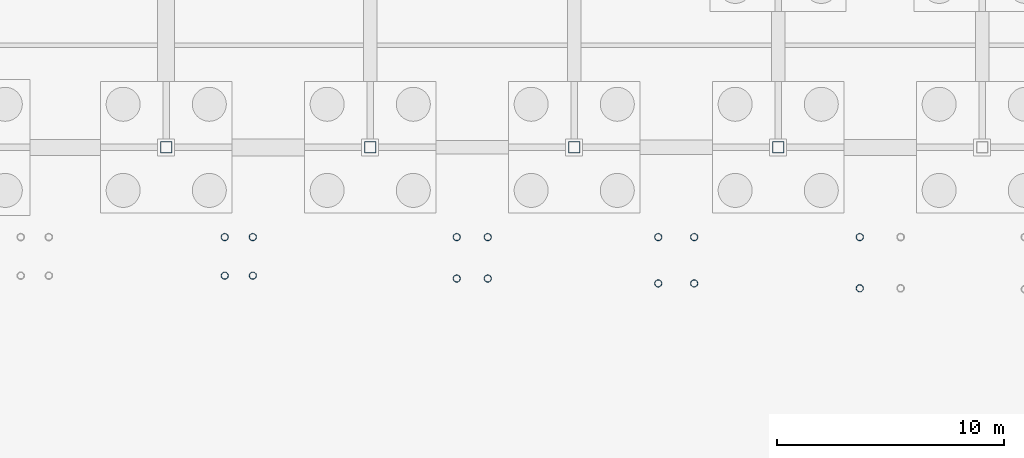
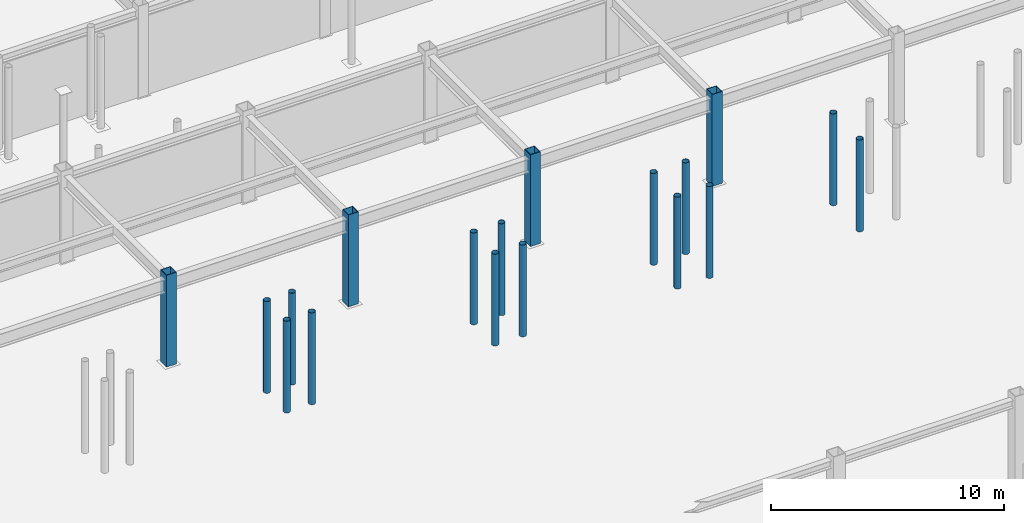
# One storey, part 21 of 74: 18 columns.
"""IFC4 building model written with IfcOpenShell, lengths in metres."""

from ifc_helpers import new_model, si_unit, direction, frame, origin, origin_2d, place, context, subcontext, project, spatial, hollow_rectangle, hollow_circle, extrude, material, material_profile, profile_set, type_object, element, save


model = new_model("IFC4")

# Units and contexts
model_context = context("Model", 3, precision=1e-05, world=origin(), true_north=direction((0.0, 1.0)))
body_context = subcontext(model_context, "Body", "Model", "MODEL_VIEW")
ifc_project = project(units=[si_unit("LENGTHUNIT", "METRE"), si_unit("AREAUNIT", "SQUARE_METRE"), si_unit("VOLUMEUNIT", "CUBIC_METRE"), si_unit("PLANEANGLEUNIT", "RADIAN"), si_unit("MASSUNIT", "GRAM", prefix="KILO")], contexts=[model_context])

# Site, building, storey
site_placement = place(None, origin())
site = spatial("IfcSite", under=ifc_project, at=site_placement, CompositionType="ELEMENT")
building_placement = place(site_placement, origin())
building = spatial("IfcBuilding", under=site, at=building_placement, Name="Suzunagisa Mobility Hub", CompositionType="ELEMENT")
storey_placement = place(building_placement, frame((0.0, 0.0, -4.800048828125)))
storey = spatial("IfcBuildingStorey", under=building, at=storey_placement, Name="B1", CompositionType="ELEMENT", Elevation=-4.800048828125)

# Columns
ifc_material = material(Name="Steel SN490B", Category="steel")
ifc_material_profile_1 = material_profile(ifc_material, hollow_circle(Radius=0.1591796875, WallThickness=0.01025390625, at=origin_2d()), Name="CHS-318.5x10.3")
ifc_profile_set_1 = profile_set([ifc_material_profile_1], Name="Steel SN490B")
column_type_1 = type_object("IfcColumnType", Name="Steel Column CL-09 CHS-318.5x10.3", PredefinedType="COLUMN", material=ifc_profile_set_1)
for number, where, z_axis, x_axis, name in (
    (1, (65.580078125, 56.340087890625, 0.0), (0.0, 0.0, 1.0), (1.0, 0.0, 0.0), "B1 Concourse Stair Pier CS-02-1"),
    (2, (66.820068359375, 56.340087890625, 0.0), (0.0, 0.0, 1.0), (1.0, 0.0, 0.0), "B1 Concourse Stair Pier CS-02-2"),
    (3, (65.580078125, 58.0400390625, 0.0), (0.0, 0.0, 1.0), (1.0, 0.0, 0.0), "B1 Concourse Stair Pier CS-02-3"),
    (4, (66.820068359375, 58.0400390625, 0.0), (0.0, 0.0, 1.0), (1.0, 0.0, 0.0), "B1 Concourse Stair Pier CS-02-4"),
    (5, (75.81591796875, 56.2119140625, 0.0), (0.0, 0.0, 1.0), (1.0, 0.0, 0.0), "B1 Concourse Stair Pier CS-03-1"),
    (6, (77.18408203125, 56.2119140625, 0.0), (0.0, 0.0, 1.0), (1.0, 0.0, 0.0), "B1 Concourse Stair Pier CS-03-2"),
    (7, (75.81591796875, 58.0400390625, 0.0), (0.0, 0.0, 1.0), (1.0, 0.0, 0.0), "B1 Concourse Stair Pier CS-03-3"),
    (8, (77.18408203125, 58.0400390625, 0.0), (0.0, 0.0, 1.0), (1.0, 0.0, 0.0), "B1 Concourse Stair Pier CS-03-4"),
    (9, (84.7080078125, 55.99609375, 0.0), (0.0, 0.0, 1.0), (1.0, 0.0, 0.0), "B1 Concourse Stair Pier CS-04-1"),
    (10, (86.2919921875, 55.99609375, 0.0), (0.0, 0.0, 1.0), (1.0, 0.0, 0.0), "B1 Concourse Stair Pier CS-04-2"),
    (11, (84.7080078125, 58.0400390625, 0.0), (0.0, 0.0, 1.0), (1.0, 0.0, 0.0), "B1 Concourse Stair Pier CS-04-3"),
    (12, (86.2919921875, 58.0400390625, 0.0), (0.0, 0.0, 1.0), (1.0, 0.0, 0.0), "B1 Concourse Stair Pier CS-04-4"),
    (13, (93.60009765625, 55.780029296875, 0.0), (0.0, 0.0, 1.0), (1.0, 0.0, 0.0), "B1 Concourse Stair Pier CS-05-1"),
    (14, (93.60009765625, 58.0400390625, 0.0), (0.0, 0.0, 1.0), (1.0, 0.0, 0.0), "B1 Concourse Stair Pier CS-05-3"),
):
    element("IfcColumn", number, at=place(storey_placement, frame(where, z_axis=z_axis, x_axis=x_axis)), inside=storey, type_object=column_type_1, Name=name, PredefinedType="COLUMN", context=body_context, shape_type="SweptSolid", body=[
        extrude(hollow_circle(Radius=0.1591796875, WallThickness=0.01025390625, at=origin_2d()), origin(), (0.0, 0.0, 1.0), 4.800048828125),
    ])
ifc_material_profile_2 = material_profile(ifc_material, hollow_rectangle(XDim=0.5, YDim=0.5, WallThickness=0.02490234375, at=origin_2d()), Name="BCR-500x500x25")
ifc_profile_set_2 = profile_set([ifc_material_profile_2], Name="Steel SN490B")
column_type_2 = type_object("IfcColumnType", Name="Steel Column CL-11 BCR-500x500x25", PredefinedType="COLUMN", material=ifc_profile_set_2)
for number, where, z_axis, x_axis, name in (
    (15, (63.0, 62.0, 0.0), (0.0, 0.0, 1.0), (1.0, 0.0, 0.0), "B1 Column 136"),
    (16, (72.0, 62.0, 0.0), (0.0, 0.0, 1.0), (1.0, 0.0, 0.0), "B1 Column 152"),
    (17, (81.0, 62.0, 0.0), (0.0, 0.0, 1.0), (1.0, 0.0, 0.0), "B1 Column 168"),
    (18, (90.0, 62.0, 0.0), (0.0, 0.0, 1.0), (1.0, 0.0, 0.0), "B1 Column 184"),
):
    element("IfcColumn", number, at=place(storey_placement, frame(where, z_axis=z_axis, x_axis=x_axis)), inside=storey, type_object=column_type_2, Name=name, PredefinedType="COLUMN", context=body_context, shape_type="SweptSolid", body=[
        extrude(hollow_rectangle(XDim=0.5, YDim=0.5, WallThickness=0.02490234375, at=origin_2d()), origin(), (0.0, 0.0, 1.0), 4.800048828125),
    ])

save(model, "model.ifc")
